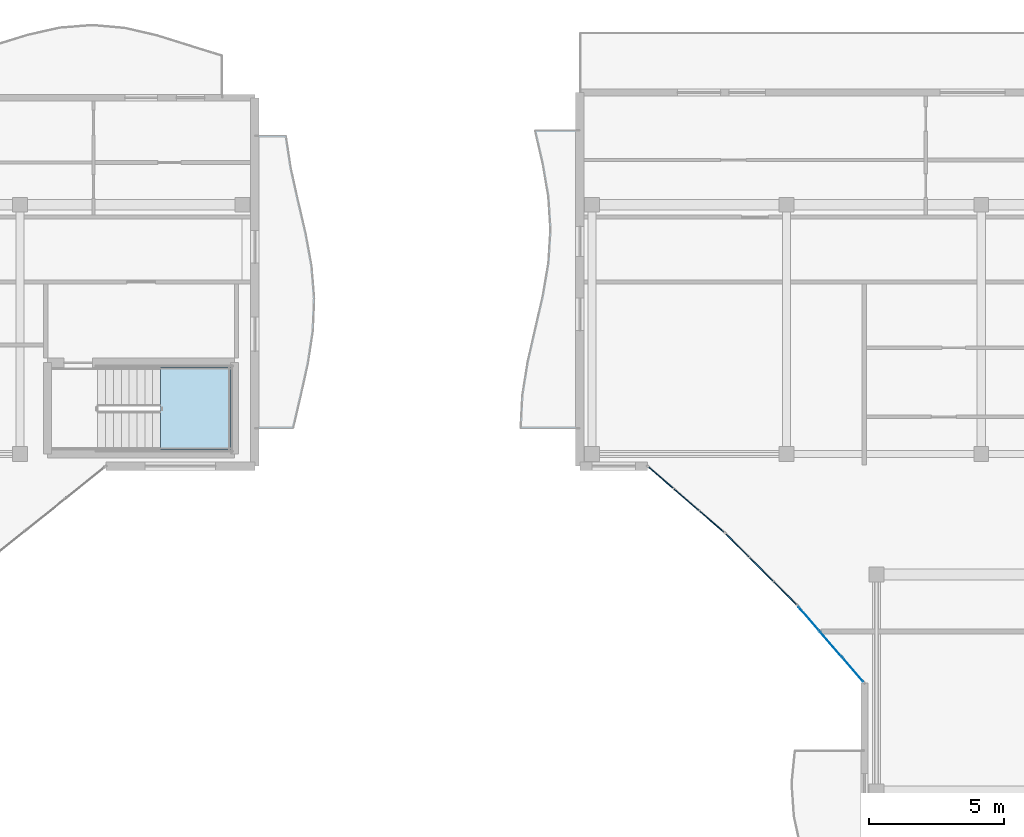
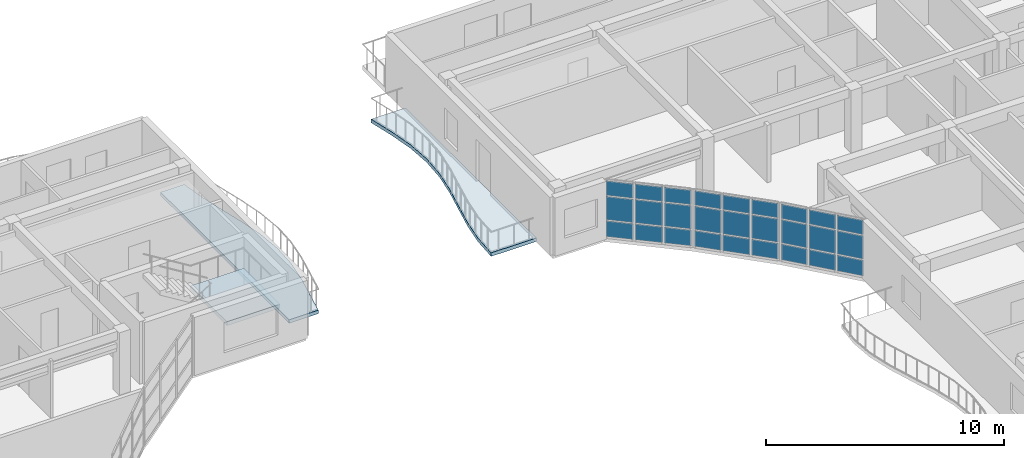
# One storey, part 22 of 54: 27 plates, 3 slabs, 4 elements without a shape of their own.
"""IFC4 building model written with IfcOpenShell, lengths in metres."""

import ifcopenshell
import ifcopenshell.guid

model = None  # the IFC model being written
_history = None  # IfcOwnerHistory: only IFC2X3 demands one
_inside = {}  # id of a spatial element -> (the spatial element, [elements in it])
_under = {}  # id of a project, library or spatial element -> (it, [spatial elements below it])
_declared = {}  # id of a project -> (the project, [libraries it declares])
_typed = {}  # id of a type object -> (the type object, [elements of that type])
_made_of = {}  # id of a material, layer set ... -> (it, [elements and type objects made of it])


def new_model(schema):
    """Start an empty IFC model of exactly this schema.

    Asked for "IFC4X3", IfcOpenShell would pick the latest addendum, in which some entities
    have other attributes; the version numbers below select the first issue.
    IFC2X3 requires an IfcOwnerHistory on every rooted entity: one is made here for all.
    """
    global model, _history
    if schema == "IFC4X3":
        model = ifcopenshell.file(schema_version=(4, 3, 0, 0))
    else:
        model = ifcopenshell.file(schema=schema)
    _inside.clear()
    _under.clear()
    _declared.clear()
    _typed.clear()
    _made_of.clear()
    _history = None
    if model.schema == "IFC2X3":
        org = make("IfcOrganization", Name="unknown")
        user = make(
            "IfcPersonAndOrganization",
            ThePerson=make("IfcPerson", FamilyName="unknown"),
            TheOrganization=org,
        )
        app = make(
            "IfcApplication",
            ApplicationDeveloper=org,
            Version="unknown",
            ApplicationFullName="unknown",
            ApplicationIdentifier="unknown",
        )
        _history = make(
            "IfcOwnerHistory",
            OwningUser=user,
            OwningApplication=app,
            ChangeAction="ADDED",
            CreationDate=0,
        )
    return model


def make(cls, **values):
    """One entity of the class cls with the attributes given. An attribute that is None is left unset."""
    return model.create_entity(
        cls, **{name: value for name, value in values.items() if value is not None}
    )


def rooted(cls, **values):
    """An entity with a GlobalId (a new one), such as an element, a storey or a relation."""
    return make(cls, GlobalId=ifcopenshell.guid.new(), OwnerHistory=_history, **values)


def si_unit(unit_type, name, prefix=None):
    """IfcSIUnit, for example si_unit("LENGTHUNIT", "METRE", prefix="MILLI")."""
    return make("IfcSIUnit", UnitType=unit_type, Prefix=prefix, Name=name)


def assignment(units):
    """IfcUnitAssignment: the units of a project."""
    return None if units is None else make("IfcUnitAssignment", Units=units)


def point(xyz):
    """IfcCartesianPoint."""
    return None if xyz is None else make("IfcCartesianPoint", Coordinates=xyz)


def direction(xyz):
    """IfcDirection."""
    return None if xyz is None else make("IfcDirection", DirectionRatios=xyz)


def frame(location, z_axis=None, x_axis=None):
    """IfcAxis2Placement3D, a coordinate frame: its origin and axes. An axis left out is left unset."""
    return make(
        "IfcAxis2Placement3D",
        Location=point(location),
        Axis=direction(z_axis),
        RefDirection=direction(x_axis),
    )


def frame_2d(location, x_axis=None):
    """IfcAxis2Placement2D, a coordinate frame in the plane: its origin and x axis."""
    return make(
        "IfcAxis2Placement2D", Location=point(location), RefDirection=direction(x_axis)
    )


def origin():
    """The frame at (0, 0, 0) with its axes left unset."""
    return frame((0.0, 0.0, 0.0))


def origin_2d():
    """The frame at (0, 0) in the plane with its x axis left unset."""
    return frame_2d((0.0, 0.0))


def place(relative_to, where):
    """IfcLocalPlacement: puts the frame where relative to a parent placement (None: the world)."""
    return make(
        "IfcLocalPlacement", PlacementRelTo=relative_to, RelativePlacement=where
    )


def context(
    kind, dimensions, precision=None, world=None, true_north=None, identifier=None
):
    """IfcGeometricRepresentationContext, for example the 3D "Model" context."""
    return make(
        "IfcGeometricRepresentationContext",
        ContextIdentifier=identifier,
        ContextType=kind,
        CoordinateSpaceDimension=dimensions,
        Precision=precision,
        WorldCoordinateSystem=world,
        TrueNorth=true_north,
    )


def subcontext(parent, identifier, kind, view, scale=None):
    """IfcGeometricRepresentationSubContext, for example "Body" below "Model"."""
    return make(
        "IfcGeometricRepresentationSubContext",
        ContextIdentifier=identifier,
        ContextType=kind,
        ParentContext=parent,
        TargetScale=scale,
        TargetView=view,
    )


def project(units=None, contexts=None):
    """IfcProject with its units and contexts."""
    return rooted(
        "IfcProject",
        Name="project",
        RepresentationContexts=contexts,
        UnitsInContext=assignment(units),
    )


def spatial(cls, under=None, at=None, **own):
    """A site, building, storey or space (cls), placed at a placement, below another one or the project."""
    s = rooted(cls, ObjectPlacement=at, **own)
    if under is not None:
        _under.setdefault(under.id(), (under, []))[1].append(s)
    return s


def polyline(points):
    """IfcPolyline through the points."""
    return make("IfcPolyline", Points=[point(p) for p in points])


def profile(cls, at=None, kind="AREA", **sizes):
    """A parametric profile (cls). Its sizes go by their IFC names, for example OverallWidth=200.0."""
    return make(cls, ProfileType=kind, Position=at, **sizes)


def rectangle(**sizes):
    """IfcRectangleProfileDef."""
    return profile("IfcRectangleProfileDef", **sizes)


def outline(outer, holes=None, kind="AREA"):
    """IfcArbitraryClosedProfileDef: a profile drawn as a closed curve; with holes, ...WithVoids."""
    if holes is None:
        return make("IfcArbitraryClosedProfileDef", ProfileType=kind, OuterCurve=outer)
    return make(
        "IfcArbitraryProfileDefWithVoids",
        ProfileType=kind,
        OuterCurve=outer,
        InnerCurves=holes,
    )


def extrude(swept, where, along, depth):
    """IfcExtrudedAreaSolid: the profile swept, set in the frame where, extruded along a direction by depth."""
    return make(
        "IfcExtrudedAreaSolid",
        SweptArea=swept,
        Position=where,
        ExtrudedDirection=direction(along),
        Depth=depth,
    )


def shape(context_of_items, identifier, shape_type, items):
    """IfcShapeRepresentation: the items that make up one representation, for example the "Body"."""
    return make(
        "IfcShapeRepresentation",
        ContextOfItems=context_of_items,
        RepresentationIdentifier=identifier,
        RepresentationType=shape_type,
        Items=items,
    )


def material(Name=None, Category=None):
    """IfcMaterial."""
    return make("IfcMaterial", Name=Name, Category=Category)


def layer(
    of_material, thickness, ventilated=None, Name=None, Category=None, Priority=None
):
    """IfcMaterialLayer: one layer of a wall or slab, of a material (None: an air gap)."""
    return make(
        "IfcMaterialLayer",
        Material=of_material,
        LayerThickness=thickness,
        IsVentilated=ventilated,
        Name=Name,
        Category=Category,
        Priority=Priority,
    )


def layer_set(layers, Name=None):
    """IfcMaterialLayerSet."""
    return make("IfcMaterialLayerSet", MaterialLayers=layers, LayerSetName=Name)


def made_of(thing, what):
    """Note that an element or type object is made of a material, layer set ...; save() writes the relation."""
    if what is not None:
        _made_of.setdefault(what.id(), (what, []))[1].append(thing)
    return thing


def type_object(cls, material=None, **own):
    """A type object (cls), such as IfcWallType, which elements share."""
    return made_of(rooted(cls, **own), material)


def element(
    cls,
    number,
    at=None,
    inside=None,
    cuts=None,
    type_object=None,
    material=None,
    context=None,
    identifier="Body",
    shape_type=None,
    held_by="IfcProductDefinitionShape",
    body=None,
    shapes=None,
    **own,
):
    """One element of the class cls, such as IfcWall. Its Tag is "e" and its number.

    at: its placement. inside: the storey or other place that contains it. cuts: it is an
    opening in that element (IfcRelVoidsElement). A single representation is given by context,
    identifier, shape_type and body (its items); several are given by shapes. held_by: the class
    of the entity that holds the representations. save() writes the other relations.
    """
    e = rooted(cls, Tag="e%d" % number, ObjectPlacement=at, **own)
    if body is not None:
        shapes = [shape(context, identifier, shape_type, body)]
    if shapes is not None:
        e.Representation = make(held_by, Representations=shapes)
    if inside is not None:
        _inside.setdefault(inside.id(), (inside, []))[1].append(e)
    if cuts is not None:
        rooted(
            "IfcRelVoidsElement", RelatingBuildingElement=cuts, RelatedOpeningElement=e
        )
    if type_object is not None:
        _typed.setdefault(type_object.id(), (type_object, []))[1].append(e)
    return made_of(e, material)


def aggregate(whole, parts):
    """IfcRelAggregates: a whole, such as a stair, and the parts it consists of."""
    return rooted("IfcRelAggregates", RelatingObject=whole, RelatedObjects=parts)


def save(model, path):
    """Write the relations noted so far, then the file.

    IfcRelAggregates (storeys below a building ...), IfcRelContainedInSpatialStructure (elements
    in a storey), IfcRelDefinesByType, IfcRelAssociatesMaterial and IfcRelDeclares: one each for
    every whole, place, type object, material and project.
    """
    for whole, parts in _under.values():
        aggregate(whole, parts)
    for where, things in _inside.values():
        rooted(
            "IfcRelContainedInSpatialStructure",
            RelatedElements=things,
            RelatingStructure=where,
        )
    for kind, things in _typed.values():
        rooted("IfcRelDefinesByType", RelatedObjects=things, RelatingType=kind)
    for what, things in _made_of.values():
        rooted("IfcRelAssociatesMaterial", RelatedObjects=things, RelatingMaterial=what)
    for by, libraries in _declared.values():
        rooted("IfcRelDeclares", RelatingContext=by, RelatedDefinitions=libraries)
    model.write(path)


model = new_model("IFC4")

# Units and contexts
model_context = context("Model", 3, precision=1e-05, world=origin(), true_north=direction((0.0, 1.0)))
body_context = subcontext(model_context, "Body", "Model", "MODEL_VIEW")
ifc_project = project(units=[si_unit("LENGTHUNIT", "METRE"), si_unit("AREAUNIT", "SQUARE_METRE"), si_unit("VOLUMEUNIT", "CUBIC_METRE"), si_unit("PLANEANGLEUNIT", "RADIAN"), si_unit("MASSUNIT", "GRAM", prefix="KILO")], contexts=[model_context])

# Site, building, storey
site_placement = place(None, origin())
site = spatial("IfcSite", under=ifc_project, at=site_placement, CompositionType="ELEMENT")
building_placement = place(site_placement, origin())
building = spatial("IfcBuilding", under=site, at=building_placement, Name="Keldmere Railside Commons", CompositionType="ELEMENT")
storey_placement = place(building_placement, frame((0.0, 0.0, 26.56005859375)))
storey = spatial("IfcBuildingStorey", under=building, at=storey_placement, Name="L08", CompositionType="ELEMENT", Elevation=26.56005859375)

# Curtain wall, plates
ifc_material_1 = material(Name="Thermally Broken Aluminium", Category="aluminium")
ifc_layer_1 = layer(ifc_material_1, 0.159912109375, Name="Court Chord Wintergarden CW 4800x2850")
ifc_layer_set_1 = layer_set([ifc_layer_1], Name="Thermally Broken Aluminium")
curtain_wall_type_1 = type_object("IfcCurtainWallType", Name="Court Chord Wintergarden CW 4800x2850", PredefinedType="NOTDEFINED", material=ifc_layer_set_1)
curtain_wall_1_placement = place(storey_placement, origin())
curtain_wall_1 = element("IfcCurtainWall", 1, at=curtain_wall_1_placement, inside=storey, type_object=curtain_wall_type_1, Name="CW-12 CW-L08-136", PredefinedType="NOTDEFINED")
ifc_material_2 = material(Name="Low-E Insulated Double Glazing", Category="glass")
ifc_layer_2 = layer(ifc_material_2, 0.033935546875, Name="Acoustic Laminated Vision Panel 34")
ifc_layer_set_2 = layer_set([ifc_layer_2], Name="Low-E Insulated Double Glazing")
plate_type_1 = type_object("IfcPlateType", Name="Acoustic Laminated Vision Panel 34", PredefinedType="CURTAIN_PANEL", material=ifc_layer_set_2)
plate_1_placement = place(storey_placement, frame((98.369384765625, 97.952392578125, 0.06494140625), z_axis=(0.0, 0.0, 1.0), x_axis=(-0.756596767584, 0.653881741053, 0.0)))
plate_1 = element("IfcPlate", 2, at=plate_1_placement, type_object=plate_type_1, Name="CW-12 panel 1.1", PredefinedType="CURTAIN_PANEL", context=body_context, shape_type="SweptSolid", body=[
    extrude(rectangle(XDim=1.16162109375, YDim=0.033935546875, at=origin_2d()), origin(), (0.0, 0.0, 1.0), 0.802490234375),
])
plate_2_placement = place(storey_placement, frame((98.369384765625, 97.952392578125, 0.932373046875), z_axis=(0.0, 0.0, 1.0), x_axis=(-0.756596767584, 0.653881741053, 0.0)))
plate_2 = element("IfcPlate", 3, at=plate_2_placement, type_object=plate_type_1, Name="CW-12 panel 1.2", PredefinedType="CURTAIN_PANEL", context=body_context, shape_type="SweptSolid", body=[
    extrude(rectangle(XDim=1.16162109375, YDim=0.033935546875, at=origin_2d()), origin(), (0.0, 0.0, 1.0), 1.18505859375),
])
plate_3_placement = place(storey_placement, frame((98.369384765625, 97.952392578125, 2.182373046875), z_axis=(0.0, 0.0, 1.0), x_axis=(-0.756596767584, 0.653881741053, 0.0)))
plate_3 = element("IfcPlate", 4, at=plate_3_placement, type_object=plate_type_1, Name="CW-12 panel 1.3", PredefinedType="CURTAIN_PANEL", context=body_context, shape_type="SweptSolid", body=[
    extrude(rectangle(XDim=1.16162109375, YDim=0.033935546875, at=origin_2d()), origin(), (0.0, 0.0, 1.0), 0.732421875),
])
plate_4_placement = place(storey_placement, frame((97.428955078125, 98.764892578125, 0.06494140625), z_axis=(0.0, 0.0, 1.0), x_axis=(-0.756596767584, 0.653881741053, 0.0)))
plate_4 = element("IfcPlate", 5, at=plate_4_placement, type_object=plate_type_1, Name="CW-12 panel 2.1", PredefinedType="CURTAIN_PANEL", context=body_context, shape_type="SweptSolid", body=[
    extrude(rectangle(XDim=1.194091796875, YDim=0.033935546875, at=origin_2d()), origin(), (0.0, 0.0, 1.0), 0.802490234375),
])
plate_5_placement = place(storey_placement, frame((97.428955078125, 98.764892578125, 0.932373046875), z_axis=(0.0, 0.0, 1.0), x_axis=(-0.756596767584, 0.653881741053, 0.0)))
plate_5 = element("IfcPlate", 6, at=plate_5_placement, type_object=plate_type_1, Name="CW-12 panel 2.2", PredefinedType="CURTAIN_PANEL", context=body_context, shape_type="SweptSolid", body=[
    extrude(rectangle(XDim=1.194091796875, YDim=0.033935546875, at=origin_2d()), origin(), (0.0, 0.0, 1.0), 1.18505859375),
])
plate_6_placement = place(storey_placement, frame((97.428955078125, 98.764892578125, 2.182373046875), z_axis=(0.0, 0.0, 1.0), x_axis=(-0.756596767584, 0.653881741053, 0.0)))
plate_6 = element("IfcPlate", 7, at=plate_6_placement, type_object=plate_type_1, Name="CW-12 panel 2.3", PredefinedType="CURTAIN_PANEL", context=body_context, shape_type="SweptSolid", body=[
    extrude(rectangle(XDim=1.194091796875, YDim=0.033935546875, at=origin_2d()), origin(), (0.0, 0.0, 1.0), 0.732421875),
])
plate_7_placement = place(storey_placement, frame((96.488525390625, 99.57763671875, 0.06494140625), z_axis=(0.0, 0.0, 1.0), x_axis=(-0.756596767584, 0.653881741053, 0.0)))
plate_7 = element("IfcPlate", 8, at=plate_7_placement, type_object=plate_type_1, Name="CW-12 panel 3.1", PredefinedType="CURTAIN_PANEL", context=body_context, shape_type="SweptSolid", body=[
    extrude(rectangle(XDim=1.16162109375, YDim=0.033935546875, at=origin_2d()), origin(), (0.0, 0.0, 1.0), 0.802490234375),
])
plate_8_placement = place(storey_placement, frame((96.488525390625, 99.57763671875, 0.932373046875), z_axis=(0.0, 0.0, 1.0), x_axis=(-0.756596767584, 0.653881741053, 0.0)))
plate_8 = element("IfcPlate", 9, at=plate_8_placement, type_object=plate_type_1, Name="CW-12 panel 3.2", PredefinedType="CURTAIN_PANEL", context=body_context, shape_type="SweptSolid", body=[
    extrude(rectangle(XDim=1.16162109375, YDim=0.033935546875, at=origin_2d()), origin(), (0.0, 0.0, 1.0), 1.18505859375),
])
plate_9_placement = place(storey_placement, frame((96.488525390625, 99.57763671875, 2.182373046875), z_axis=(0.0, 0.0, 1.0), x_axis=(-0.756596767584, 0.653881741053, 0.0)))
plate_9 = element("IfcPlate", 10, at=plate_9_placement, type_object=plate_type_1, Name="CW-12 panel 3.3", PredefinedType="CURTAIN_PANEL", context=body_context, shape_type="SweptSolid", body=[
    extrude(rectangle(XDim=1.16162109375, YDim=0.033935546875, at=origin_2d()), origin(), (0.0, 0.0, 1.0), 0.732421875),
])
aggregate(curtain_wall_1, [plate_1, plate_2, plate_3, plate_4, plate_5, plate_6, plate_7, plate_8, plate_9])

ifc_layer_3 = layer(ifc_material_1, 0.159912109375, Name="Court Chord Wintergarden CW 5400x2850")
ifc_layer_set_3 = layer_set([ifc_layer_3], Name="Thermally Broken Aluminium")
curtain_wall_type_2 = type_object("IfcCurtainWallType", Name="Court Chord Wintergarden CW 5400x2850", PredefinedType="NOTDEFINED", material=ifc_layer_set_3)
curtain_wall_2_placement = place(storey_placement, origin())
curtain_wall_2 = element("IfcCurtainWall", 11, at=curtain_wall_2_placement, inside=storey, type_object=curtain_wall_type_2, Name="CW-13 CW-L08-137", PredefinedType="NOTDEFINED")
ifc_layer_4 = layer(ifc_material_2, 0.031982421875, Name="Clerestory Solar-Control Vision Panel 32")
ifc_layer_set_4 = layer_set([ifc_layer_4], Name="Low-E Insulated Double Glazing")
plate_type_2 = type_object("IfcPlateType", Name="Clerestory Solar-Control Vision Panel 32", PredefinedType="CURTAIN_PANEL", material=ifc_layer_set_4)
plate_10_placement = place(storey_placement, frame((101.0732421875, 95.31494140625, 0.06494140625), z_axis=(0.0, 0.0, 1.0), x_axis=(-0.707106781187, 0.707106781187, 0.0)))
plate_10 = element("IfcPlate", 12, at=plate_10_placement, type_object=plate_type_2, Name="CW-13 panel 1.1", PredefinedType="CURTAIN_PANEL", context=body_context, shape_type="SweptSolid", body=[
    extrude(rectangle(XDim=1.162109375, YDim=0.031982421875, at=origin_2d()), origin(), (0.0, 0.0, 1.0), 0.802490234375),
])
plate_11_placement = place(storey_placement, frame((101.0732421875, 95.31494140625, 0.932373046875), z_axis=(0.0, 0.0, 1.0), x_axis=(-0.707106781187, 0.707106781187, 0.0)))
plate_11 = element("IfcPlate", 13, at=plate_11_placement, type_object=plate_type_2, Name="CW-13 panel 1.2", PredefinedType="CURTAIN_PANEL", context=body_context, shape_type="SweptSolid", body=[
    extrude(rectangle(XDim=1.162109375, YDim=0.031982421875, at=origin_2d()), origin(), (0.0, 0.0, 1.0), 1.18505859375),
])
plate_12_placement = place(storey_placement, frame((101.0732421875, 95.31494140625, 2.182373046875), z_axis=(0.0, 0.0, 1.0), x_axis=(-0.707106781187, 0.707106781187, 0.0)))
plate_12 = element("IfcPlate", 14, at=plate_12_placement, type_object=plate_type_2, Name="CW-13 panel 1.3", PredefinedType="CURTAIN_PANEL", context=body_context, shape_type="SweptSolid", body=[
    extrude(rectangle(XDim=1.162109375, YDim=0.031982421875, at=origin_2d()), origin(), (0.0, 0.0, 1.0), 0.732421875),
])
plate_13_placement = place(storey_placement, frame((100.194091796875, 96.194091796875, 0.06494140625), z_axis=(0.0, 0.0, 1.0), x_axis=(-0.707106781187, 0.707106781187, 0.0)))
plate_13 = element("IfcPlate", 15, at=plate_13_placement, type_object=plate_type_2, Name="CW-13 panel 2.1", PredefinedType="CURTAIN_PANEL", context=body_context, shape_type="SweptSolid", body=[
    extrude(rectangle(XDim=1.194580078125, YDim=0.031982421875, at=origin_2d()), origin(), (0.0, 0.0, 1.0), 0.802490234375),
])
plate_14_placement = place(storey_placement, frame((100.194091796875, 96.194091796875, 0.932373046875), z_axis=(0.0, 0.0, 1.0), x_axis=(-0.707106781187, 0.707106781187, 0.0)))
plate_14 = element("IfcPlate", 16, at=plate_14_placement, type_object=plate_type_2, Name="CW-13 panel 2.2", PredefinedType="CURTAIN_PANEL", context=body_context, shape_type="SweptSolid", body=[
    extrude(rectangle(XDim=1.194580078125, YDim=0.031982421875, at=origin_2d()), origin(), (0.0, 0.0, 1.0), 1.18505859375),
])
plate_15_placement = place(storey_placement, frame((100.194091796875, 96.194091796875, 2.182373046875), z_axis=(0.0, 0.0, 1.0), x_axis=(-0.707106781187, 0.707106781187, 0.0)))
plate_15 = element("IfcPlate", 17, at=plate_15_placement, type_object=plate_type_2, Name="CW-13 panel 2.3", PredefinedType="CURTAIN_PANEL", context=body_context, shape_type="SweptSolid", body=[
    extrude(rectangle(XDim=1.194580078125, YDim=0.031982421875, at=origin_2d()), origin(), (0.0, 0.0, 1.0), 0.732421875),
])
plate_16_placement = place(storey_placement, frame((99.31494140625, 97.0732421875, 0.06494140625), z_axis=(0.0, 0.0, 1.0), x_axis=(-0.707106781187, 0.707106781187, 0.0)))
plate_16 = element("IfcPlate", 18, at=plate_16_placement, type_object=plate_type_2, Name="CW-13 panel 3.1", PredefinedType="CURTAIN_PANEL", context=body_context, shape_type="SweptSolid", body=[
    extrude(rectangle(XDim=1.162109375, YDim=0.031982421875, at=origin_2d()), origin(), (0.0, 0.0, 1.0), 0.802490234375),
])
plate_17_placement = place(storey_placement, frame((99.31494140625, 97.0732421875, 0.932373046875), z_axis=(0.0, 0.0, 1.0), x_axis=(-0.707106781187, 0.707106781187, 0.0)))
plate_17 = element("IfcPlate", 19, at=plate_17_placement, type_object=plate_type_2, Name="CW-13 panel 3.2", PredefinedType="CURTAIN_PANEL", context=body_context, shape_type="SweptSolid", body=[
    extrude(rectangle(XDim=1.162109375, YDim=0.031982421875, at=origin_2d()), origin(), (0.0, 0.0, 1.0), 1.18505859375),
])
plate_18_placement = place(storey_placement, frame((99.31494140625, 97.0732421875, 2.182373046875), z_axis=(0.0, 0.0, 1.0), x_axis=(-0.707106781187, 0.707106781187, 0.0)))
plate_18 = element("IfcPlate", 20, at=plate_18_placement, type_object=plate_type_2, Name="CW-13 panel 3.3", PredefinedType="CURTAIN_PANEL", context=body_context, shape_type="SweptSolid", body=[
    extrude(rectangle(XDim=1.162109375, YDim=0.031982421875, at=origin_2d()), origin(), (0.0, 0.0, 1.0), 0.732421875),
])
aggregate(curtain_wall_2, [plate_10, plate_11, plate_12, plate_13, plate_14, plate_15, plate_16, plate_17, plate_18])

# Stair, slab
ifc_material_3 = material(Name="Concrete H-30 (C30/37)", Category="concrete")
stair_type = type_object("IfcStairType", Name="Residential Core Dogleg Stair 1450", PredefinedType="HALF_TURN_STAIR", material=ifc_material_3)
stair_placement = place(storey_placement, origin())
stair = element("IfcStair", 21, at=stair_placement, inside=storey, type_object=stair_type, Name="L08 Block C Secondary Escape Stair 2", PredefinedType="HALF_TURN_STAIR")
ifc_layer_5 = layer(ifc_material_3, 0.199951171875, Name="Enclosed Stair Landing Slab 200")
ifc_layer_set_5 = layer_set([ifc_layer_5], Name="Concrete H-30 (C30/37)")
slab_type_1 = type_object("IfcSlabType", Name="Enclosed Stair Landing Slab 200", PredefinedType="LANDING", material=ifc_layer_set_5)
slab_1_placement = place(storey_placement, frame((0.0, 0.0, 1.39990234375)))
slab_1 = element("IfcSlab", 22, at=slab_1_placement, type_object=slab_type_1, Name="ST-C2 landing 1", PredefinedType="LANDING", context=body_context, shape_type="SweptSolid", body=[
    extrude(outline(polyline([(78.02001953125, 100.60009765625), (80.60009765625, 100.60009765625), (80.60009765625, 103.64990234375), (78.02001953125, 103.64990234375), (78.02001953125, 100.60009765625)])), origin(), (0.0, 0.0, 1.0), 0.199951171875),
])
aggregate(stair, [slab_1])

# Curtain wall, plates
curtain_wall_3_placement = place(storey_placement, origin())
curtain_wall_3 = element("IfcCurtainWall", 23, at=curtain_wall_3_placement, inside=storey, type_object=curtain_wall_type_1, Name="CW-12 CW-L08-138", PredefinedType="NOTDEFINED")
ifc_layer_6 = layer(ifc_material_2, 0.028076171875, Name="Low-E Vision Glazing Panel 28")
ifc_layer_set_6 = layer_set([ifc_layer_6], Name="Low-E Insulated Double Glazing")
plate_type_3 = type_object("IfcPlateType", Name="Low-E Vision Glazing Panel 28", PredefinedType="CURTAIN_PANEL", material=ifc_layer_set_6)
plate_19_placement = place(storey_placement, frame((103.57763671875, 92.488525390625, 0.06494140625), z_axis=(0.0, 0.0, 1.0), x_axis=(-0.653881741053, 0.756596767584, 0.0)))
plate_19 = element("IfcPlate", 24, at=plate_19_placement, type_object=plate_type_3, Name="CW-12 panel 1.1", PredefinedType="CURTAIN_PANEL", context=body_context, shape_type="SweptSolid", body=[
    extrude(rectangle(XDim=1.16162109375, YDim=0.028076171875, at=origin_2d()), origin(), (0.0, 0.0, 1.0), 0.802490234375),
])
plate_20_placement = place(storey_placement, frame((103.57763671875, 92.488525390625, 0.932373046875), z_axis=(0.0, 0.0, 1.0), x_axis=(-0.653881741053, 0.756596767584, 0.0)))
plate_20 = element("IfcPlate", 25, at=plate_20_placement, type_object=plate_type_3, Name="CW-12 panel 1.2", PredefinedType="CURTAIN_PANEL", context=body_context, shape_type="SweptSolid", body=[
    extrude(rectangle(XDim=1.16162109375, YDim=0.028076171875, at=origin_2d()), origin(), (0.0, 0.0, 1.0), 1.18505859375),
])
plate_21_placement = place(storey_placement, frame((103.57763671875, 92.488525390625, 2.182373046875), z_axis=(0.0, 0.0, 1.0), x_axis=(-0.653881741053, 0.756596767584, 0.0)))
plate_21 = element("IfcPlate", 26, at=plate_21_placement, type_object=plate_type_3, Name="CW-12 panel 1.3", PredefinedType="CURTAIN_PANEL", context=body_context, shape_type="SweptSolid", body=[
    extrude(rectangle(XDim=1.16162109375, YDim=0.028076171875, at=origin_2d()), origin(), (0.0, 0.0, 1.0), 0.732421875),
])
plate_22_placement = place(storey_placement, frame((102.764892578125, 93.428955078125, 0.06494140625), z_axis=(0.0, 0.0, 1.0), x_axis=(-0.653881741053, 0.756596767584, 0.0)))
plate_22 = element("IfcPlate", 27, at=plate_22_placement, type_object=plate_type_3, Name="CW-12 panel 2.1", PredefinedType="CURTAIN_PANEL", context=body_context, shape_type="SweptSolid", body=[
    extrude(rectangle(XDim=1.194091796875, YDim=0.028076171875, at=origin_2d()), origin(), (0.0, 0.0, 1.0), 0.802490234375),
])
plate_23_placement = place(storey_placement, frame((102.764892578125, 93.428955078125, 0.932373046875), z_axis=(0.0, 0.0, 1.0), x_axis=(-0.653881741053, 0.756596767584, 0.0)))
plate_23 = element("IfcPlate", 28, at=plate_23_placement, type_object=plate_type_3, Name="CW-12 panel 2.2", PredefinedType="CURTAIN_PANEL", context=body_context, shape_type="SweptSolid", body=[
    extrude(rectangle(XDim=1.194091796875, YDim=0.028076171875, at=origin_2d()), origin(), (0.0, 0.0, 1.0), 1.18505859375),
])
plate_24_placement = place(storey_placement, frame((102.764892578125, 93.428955078125, 2.182373046875), z_axis=(0.0, 0.0, 1.0), x_axis=(-0.653881741053, 0.756596767584, 0.0)))
plate_24 = element("IfcPlate", 29, at=plate_24_placement, type_object=plate_type_3, Name="CW-12 panel 2.3", PredefinedType="CURTAIN_PANEL", context=body_context, shape_type="SweptSolid", body=[
    extrude(rectangle(XDim=1.194091796875, YDim=0.028076171875, at=origin_2d()), origin(), (0.0, 0.0, 1.0), 0.732421875),
])
plate_25_placement = place(storey_placement, frame((101.952392578125, 94.369384765625, 0.06494140625), z_axis=(0.0, 0.0, 1.0), x_axis=(-0.653881741053, 0.756596767584, 0.0)))
plate_25 = element("IfcPlate", 30, at=plate_25_placement, type_object=plate_type_3, Name="CW-12 panel 3.1", PredefinedType="CURTAIN_PANEL", context=body_context, shape_type="SweptSolid", body=[
    extrude(rectangle(XDim=1.16162109375, YDim=0.028076171875, at=origin_2d()), origin(), (0.0, 0.0, 1.0), 0.802490234375),
])
plate_26_placement = place(storey_placement, frame((101.952392578125, 94.369384765625, 0.932373046875), z_axis=(0.0, 0.0, 1.0), x_axis=(-0.653881741053, 0.756596767584, 0.0)))
plate_26 = element("IfcPlate", 31, at=plate_26_placement, type_object=plate_type_3, Name="CW-12 panel 3.2", PredefinedType="CURTAIN_PANEL", context=body_context, shape_type="SweptSolid", body=[
    extrude(rectangle(XDim=1.16162109375, YDim=0.028076171875, at=origin_2d()), origin(), (0.0, 0.0, 1.0), 1.18505859375),
])
plate_27_placement = place(storey_placement, frame((101.952392578125, 94.369384765625, 2.182373046875), z_axis=(0.0, 0.0, 1.0), x_axis=(-0.653881741053, 0.756596767584, 0.0)))
plate_27 = element("IfcPlate", 32, at=plate_27_placement, type_object=plate_type_3, Name="CW-12 panel 3.3", PredefinedType="CURTAIN_PANEL", context=body_context, shape_type="SweptSolid", body=[
    extrude(rectangle(XDim=1.16162109375, YDim=0.028076171875, at=origin_2d()), origin(), (0.0, 0.0, 1.0), 0.732421875),
])
aggregate(curtain_wall_3, [plate_19, plate_20, plate_21, plate_22, plate_23, plate_24, plate_25, plate_26, plate_27])

# Slabs
ifc_material_4 = material(Name="White Precast Concrete H-35 (C35/45)", Category="concrete")
ifc_layer_7 = layer(ifc_material_4, 0.179931640625, Name="Sinusoidal Wave Balcony Slab 180")
ifc_layer_set_7 = layer_set([ifc_layer_7], Name="White Precast Concrete H-35 (C35/45)")
slab_type_2 = type_object("IfcSlabType", Name="Sinusoidal Wave Balcony Slab 180", PredefinedType="FLOOR", material=ifc_layer_set_7)
slab_2_placement = place(storey_placement, frame((0.0, 0.0, -0.18017578125)))
element("IfcSlab", 33, at=slab_2_placement, inside=storey, type_object=slab_type_2, Name="WB-1 C L08 WE Wave Balcony", PredefinedType="FLOOR", context=body_context, shape_type="SweptSolid", body=[
    extrude(outline(polyline([(82.919189453125, 101.39990234375), (83.19970703125, 102.60009765625), (83.466796875, 103.800048828125), (83.649169921875, 105.0), (83.69775390625, 106.199951171875), (83.599609375, 107.39990234375), (83.380859375, 108.60009765625), (83.100341796875, 109.800048828125), (82.8330078125, 111.0), (82.65087890625, 112.199951171875), (81.5, 112.199951171875), (81.5, 111.0), (81.5, 109.800048828125), (81.5, 108.60009765625), (81.5, 107.39990234375), (81.5, 106.199951171875), (81.5, 105.0), (81.5, 103.800048828125), (81.5, 102.60009765625), (81.5, 101.39990234375), (82.919189453125, 101.39990234375)])), origin(), (0.0, 0.0, 1.0), 0.18017578125),
])
slab_3_placement = place(storey_placement, frame((0.0, 0.0, -0.18017578125)))
element("IfcSlab", 34, at=slab_3_placement, inside=storey, type_object=slab_type_2, Name="WB-1 B L08 WW Wave Balcony", PredefinedType="FLOOR", context=body_context, shape_type="SweptSolid", body=[
    extrude(outline(polyline([(93.5, 101.39990234375), (93.5, 102.622314453125), (93.5, 103.844482421875), (93.5, 105.066650390625), (93.5, 106.288818359375), (93.5, 107.510986328125), (93.5, 108.7333984375), (93.5, 109.95556640625), (93.5, 111.177734375), (93.5, 112.39990234375), (91.831787109375, 112.39990234375), (92.11376953125, 111.177734375), (92.322509765625, 109.95556640625), (92.39990234375, 108.7333984375), (92.32470703125, 107.510986328125), (92.11767578125, 106.288818359375), (91.836181640625, 105.066650390625), (91.55859375, 103.844482421875), (91.362060546875, 102.622314453125), (91.30078125, 101.39990234375), (93.5, 101.39990234375)])), origin(), (0.0, 0.0, 1.0), 0.18017578125),
])

save(model, "model.ifc")
